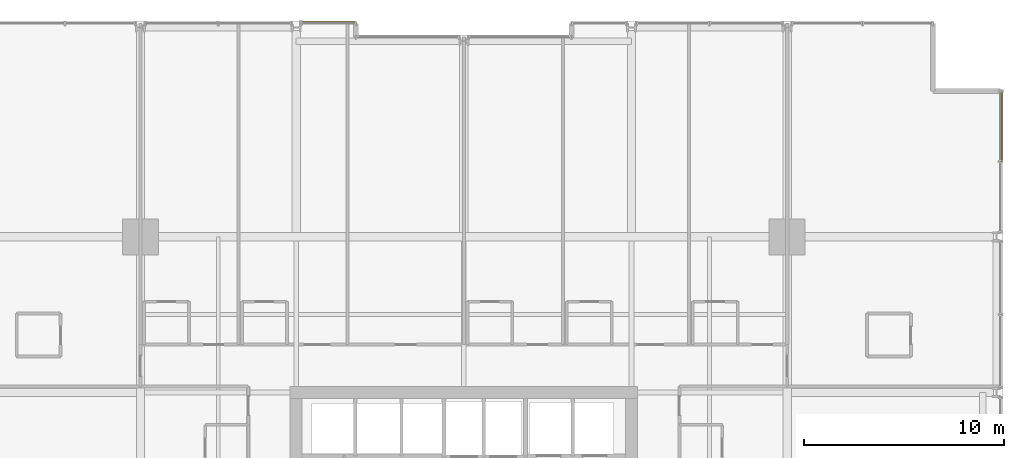
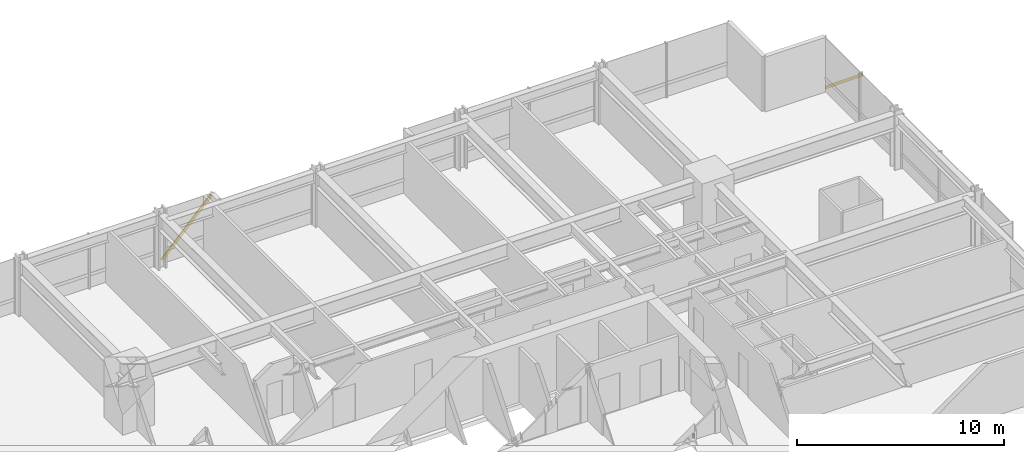
# One storey, part 39 of 39: 2 shading devices.
"""IFC4 building model written with IfcOpenShell, lengths in metres."""

from ifc_helpers import new_model, si_unit, direction, frame, origin, origin_2d, place, context, subcontext, project, spatial, hollow_rectangle, extrude, material, material_profile, profile_set, type_object, element, save


model = new_model("IFC4")

# Units and contexts
model_context = context("Model", 3, precision=1e-05, world=origin(), true_north=direction((0.0, 1.0)))
body_context = subcontext(model_context, "Body", "Model", "MODEL_VIEW")
ifc_project = project(units=[si_unit("LENGTHUNIT", "METRE"), si_unit("AREAUNIT", "SQUARE_METRE"), si_unit("VOLUMEUNIT", "CUBIC_METRE"), si_unit("PLANEANGLEUNIT", "RADIAN"), si_unit("MASSUNIT", "GRAM", prefix="KILO")], contexts=[model_context])

# Site, building, storey
site_placement = place(None, origin())
site = spatial("IfcSite", under=ifc_project, at=site_placement, CompositionType="ELEMENT")
building_placement = place(site_placement, origin())
building = spatial("IfcBuilding", under=site, at=building_placement, Name="Drelvath Grand Hotel", CompositionType="ELEMENT")
storey_placement = place(building_placement, frame((0.0, 0.0, 40.199951171875)))
storey = spatial("IfcBuildingStorey", under=building, at=storey_placement, Name="L08", CompositionType="ELEMENT", Elevation=40.199951171875)

# Shading devices
ifc_material = material(Name="Warm Bronze Anodised Aluminium", Category="aluminium")
ifc_material_profile = material_profile(ifc_material, hollow_rectangle(XDim=0.06494140625, YDim=0.159912109375, WallThickness=0.00390625, at=origin_2d()), Name="HSS160X65X4")
ifc_profile_set = profile_set([ifc_material_profile], Name="Warm Bronze Anodised Aluminium")
shading_device_type = type_object("IfcShadingDeviceType", Name="Diagonal Solar Fin Warm Bronze Anodised HSS160X65X4", PredefinedType="USERDEFINED", material=ifc_profile_set)
shading_device_1_placement = place(storey_placement, frame((26.9599609375, 50.5, 0.179931640625), z_axis=(0.0, -0.774782809762, 0.632227488882), x_axis=(1.0, 0.0, 0.0)))
element("IfcShadingDevice", 1, at=shading_device_1_placement, inside=storey, type_object=shading_device_type, Name="L08 Diagonal Anodised Fin CW02-L08-EN3", ObjectType="FIN", PredefinedType="USERDEFINED", context=body_context, shape_type="SweptSolid", body=[
    extrude(hollow_rectangle(XDim=0.06494140625, YDim=0.159912109375, WallThickness=0.00390625, at=origin_2d()), origin(), (0.0, 0.0, 1.0), 4.555419921875),
])
shading_device_2_placement = place(storey_placement, frame((-8.1591796875, 53.9599609375, 0.179931640625), z_axis=(0.691795011039, 0.0, 0.722093943128), x_axis=(0.0, 1.0, 0.0)))
element("IfcShadingDevice", 2, at=shading_device_2_placement, inside=storey, type_object=shading_device_type, Name="L08 Diagonal Anodised Fin CW02-L08-NW3", ObjectType="FIN", PredefinedType="USERDEFINED", context=body_context, shape_type="SweptSolid", body=[
    extrude(hollow_rectangle(XDim=0.06494140625, YDim=0.159912109375, WallThickness=0.00390625, at=origin_2d()), origin(), (0.0, 0.0, 1.0), 3.988525390625),
])

save(model, "model.ifc")
